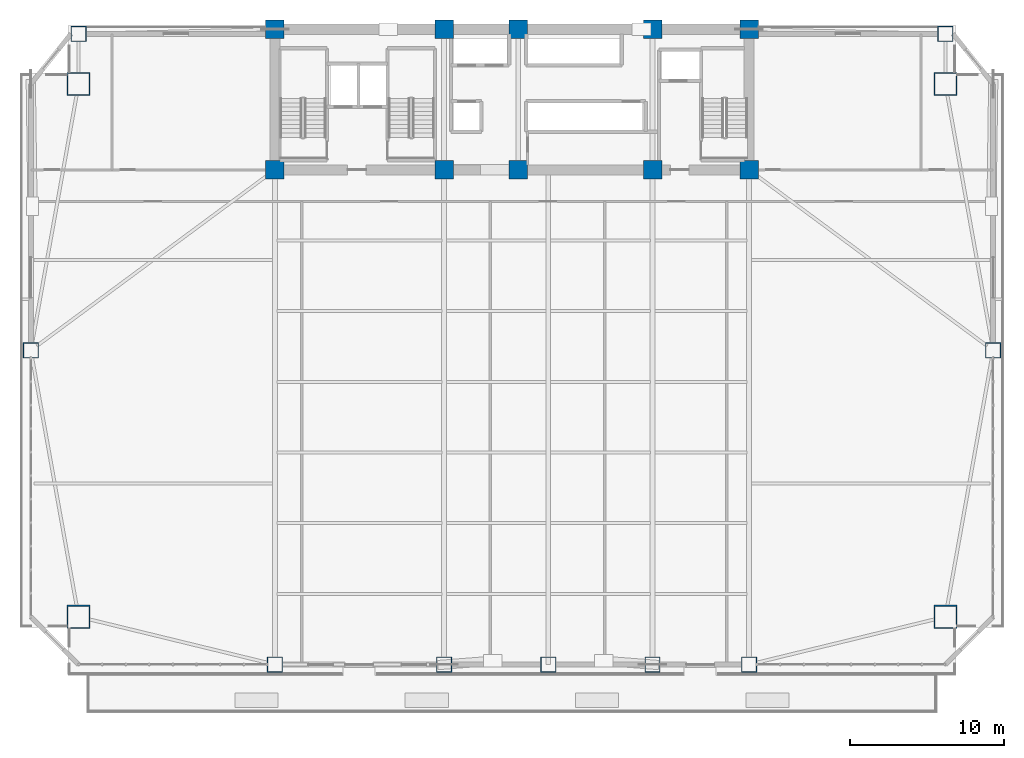
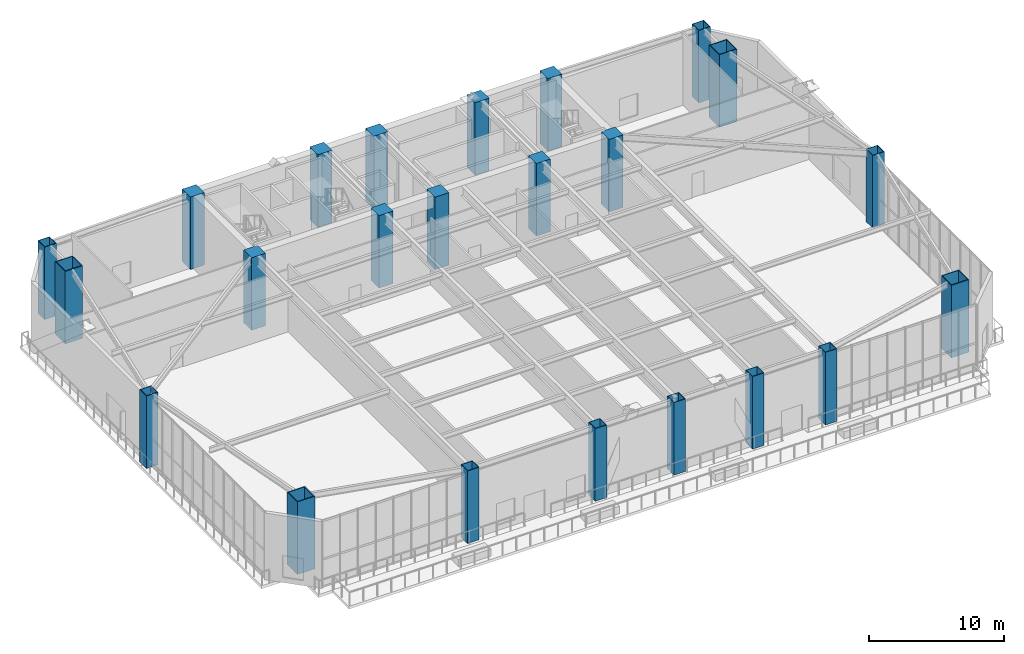
# One storey, part 1 of 22: 23 columns.
"""IFC4 building model written with IfcOpenShell, lengths in metres."""

from ifc_helpers import new_model, si_unit, direction, frame, origin, origin_2d, place, context, subcontext, project, spatial, rectangle, hollow_rectangle, extrude, source, transform, mapped, material, material_profile, profile_set, type_object, element, save


model = new_model("IFC4")

# Units and contexts
model_context = context("Model", 3, precision=1e-05, world=origin(), true_north=direction((0.0, 1.0)))
body_context = subcontext(model_context, "Body", "Model", "MODEL_VIEW")
ifc_project = project(units=[si_unit("LENGTHUNIT", "METRE"), si_unit("AREAUNIT", "SQUARE_METRE"), si_unit("VOLUMEUNIT", "CUBIC_METRE"), si_unit("PLANEANGLEUNIT", "RADIAN"), si_unit("MASSUNIT", "GRAM", prefix="KILO")], contexts=[model_context])

# Site, building, storey
site_placement = place(None, origin())
site = spatial("IfcSite", under=ifc_project, at=site_placement, CompositionType="ELEMENT")
building_placement = place(site_placement, origin())
building = spatial("IfcBuilding", under=site, at=building_placement, Name="Giltprow Tower", CompositionType="ELEMENT")
storey_placement = place(building_placement, frame((0.0, 0.0, 72.800048828125)))
storey = spatial("IfcBuildingStorey", under=building, at=storey_placement, Name="L18", CompositionType="ELEMENT", Elevation=72.800048828125)

# Columns
ifc_material_1 = material(Name="Concrete C60", Category="concrete")
ifc_material_profile_1 = material_profile(ifc_material_1, rectangle(XDim=1.199951171875, YDim=1.199951171875, at=origin_2d()), Name="RC 1200x1200")
ifc_profile_set_1 = profile_set([ifc_material_profile_1], Name="Concrete C60")
column_type_1 = type_object("IfcColumnType", Name="PIL-RC-1200-C60", PredefinedType="PILASTER", material=ifc_profile_set_1)
shared_shape_1 = source(origin(), body_context, "Body", "SweptSolid", [
    extrude(rectangle(XDim=1.199951171875, YDim=1.199951171875, at=origin_2d()), origin(), (0.0, 0.0, 1.0), 6.579833984375),
])
for number, where, z_axis, x_axis, name in (
    (1, (19.85009765625, 37.449951171875, 0.0), (0.0, 0.0, 1.0), (1.0, 0.0, 0.0), "L18 Core Boundary Pilaster 1-1"),
    (2, (19.85009765625, 46.550048828125, 0.0), (0.0, 0.0, 1.0), (1.0, 0.0, 0.0), "L18 Core Boundary Pilaster 1-2"),
    (3, (30.800048828125, 37.449951171875, 0.0), (0.0, 0.0, 1.0), (1.0, 0.0, 0.0), "L18 Core Boundary Pilaster 2-1"),
    (4, (30.800048828125, 46.550048828125, 0.0), (0.0, 0.0, 1.0), (1.0, 0.0, 0.0), "L18 Core Boundary Pilaster 2-2"),
    (5, (35.60009765625, 37.449951171875, 0.0), (0.0, 0.0, 1.0), (1.0, 0.0, 0.0), "L18 Core Boundary Pilaster 3-1"),
    (6, (35.60009765625, 46.550048828125, 0.0), (0.0, 0.0, 1.0), (1.0, 0.0, 0.0), "L18 Core Boundary Pilaster 3-2"),
    (7, (44.300048828125, 37.449951171875, 0.0), (0.0, 0.0, 1.0), (1.0, 0.0, 0.0), "L18 Core Boundary Pilaster 4-1"),
    (8, (44.300048828125, 46.550048828125, 0.0), (0.0, 0.0, 1.0), (1.0, 0.0, 0.0), "L18 Core Boundary Pilaster 4-2"),
    (9, (50.550048828125, 37.449951171875, 0.0), (0.0, 0.0, 1.0), (1.0, 0.0, 0.0), "L18 Core Boundary Pilaster 5-1"),
    (10, (50.550048828125, 46.550048828125, 0.0), (0.0, 0.0, 1.0), (1.0, 0.0, 0.0), "L18 Core Boundary Pilaster 5-2"),
):
    element("IfcColumn", number, at=place(storey_placement, frame(where, z_axis=z_axis, x_axis=x_axis)), inside=storey, type_object=column_type_1, Name=name, PredefinedType="PILASTER", context=body_context, shape_type="MappedRepresentation", body=[
        mapped(shared_shape_1, transform((0.0, 0.0, 0.0), x_axis=(1.0, 0.0, 0.0), y_axis=(0.0, 1.0, 0.0), z_axis=(0.0, 0.0, 1.0), scale=1.0)),
    ])
ifc_material_2 = material(Name="Structural steel Q420GJC", Category="steel")
ifc_material_profile_2 = material_profile(ifc_material_2, hollow_rectangle(XDim=1.5, YDim=1.5, WallThickness=0.070068359375, at=origin_2d()), Name="BOX 1500x1500x70")
ifc_profile_set_2 = profile_set([ifc_material_profile_2], Name="Structural steel Q420GJC")
column_type_2 = type_object("IfcColumnType", Name="COL-BOX-1500x1500x70", PredefinedType="COLUMN", material=ifc_profile_set_2)
shared_shape_2 = source(origin(), body_context, "Body", "SweptSolid", [
    extrude(hollow_rectangle(XDim=1.5, YDim=1.5, WallThickness=0.070068359375, at=origin_2d()), origin(), (0.0, 0.0, 1.0), 6.579833984375),
])
for number, where, z_axis, x_axis, name in (
    (11, (7.135986328125, 8.5048828125, 0.0), (0.0, 0.0, 1.0), (1.0, 0.0, 0.0), "L18 Mega-Column MC_SW"),
    (12, (63.264892578125, 8.5048828125, 0.0), (0.0, 0.0, 1.0), (1.0, 0.0, 0.0), "L18 Mega-Column MC_SE"),
    (13, (7.135986328125, 43.00390625, 0.0), (0.0, 0.0, 1.0), (1.0, 0.0, 0.0), "L18 Mega-Column MC_NW"),
    (14, (63.264892578125, 43.00390625, 0.0), (0.0, 0.0, 1.0), (1.0, 0.0, 0.0), "L18 Mega-Column MC_NE"),
):
    element("IfcColumn", number, at=place(storey_placement, frame(where, z_axis=z_axis, x_axis=x_axis)), inside=storey, type_object=column_type_2, Name=name, PredefinedType="COLUMN", context=body_context, shape_type="MappedRepresentation", body=[
        mapped(shared_shape_2, transform((0.0, 0.0, 0.0), x_axis=(1.0, 0.0, 0.0), y_axis=(0.0, 1.0, 0.0), z_axis=(0.0, 0.0, 1.0), scale=1.0)),
    ])
ifc_material_profile_3 = material_profile(ifc_material_2, hollow_rectangle(XDim=1.0, YDim=1.0, WallThickness=0.044921875, at=origin_2d()), Name="BOX 1000x1000x45")
ifc_profile_set_3 = profile_set([ifc_material_profile_3], Name="Structural steel Q420GJC")
column_type_3 = type_object("IfcColumnType", Name="COL-BOX-1000x1000x45", PredefinedType="COLUMN", material=ifc_profile_set_3)
shared_shape_3 = source(origin(), body_context, "Body", "SweptSolid", [
    extrude(hollow_rectangle(XDim=1.0, YDim=1.0, WallThickness=0.044921875, at=origin_2d()), origin(), (0.0, 0.0, 1.0), 6.579833984375),
])
for number, where, z_axis, x_axis, name in (
    (15, (19.85009765625, 5.408935546875, 0.0), (0.0, 0.0, 1.0), (1.0, 0.0, 0.0), "L18 Perimeter Column S1"),
    (16, (30.800048828125, 5.408935546875, 0.0), (0.0, 0.0, 1.0), (1.0, 0.0, 0.0), "L18 Perimeter Column S2"),
    (17, (37.550048828125, 5.408935546875, 0.0), (0.0, 0.0, 1.0), (1.0, 0.0, 0.0), "L18 Perimeter Column S_MID"),
    (18, (44.300048828125, 5.408935546875, 0.0), (0.0, 0.0, 1.0), (1.0, 0.0, 0.0), "L18 Perimeter Column S3"),
    (19, (50.550048828125, 5.408935546875, 0.0), (0.0, 0.0, 1.0), (1.0, 0.0, 0.0), "L18 Perimeter Column S4"),
    (20, (4.0400390625, 25.7548828125, 0.0), (0.0, 0.0, 1.0), (1.0, 0.0, 0.0), "L18 Perimeter Column W_MID"),
    (21, (66.361083984375, 25.7548828125, 0.0), (0.0, 0.0, 1.0), (1.0, 0.0, 0.0), "L18 Perimeter Column E_MID"),
    (22, (7.135986328125, 46.25, 0.0), (0.0, 0.0, 1.0), (1.0, 0.0, 0.0), "L18 Perimeter Column N_W"),
    (23, (63.264892578125, 46.25, 0.0), (0.0, 0.0, 1.0), (1.0, 0.0, 0.0), "L18 Perimeter Column N_E"),
):
    element("IfcColumn", number, at=place(storey_placement, frame(where, z_axis=z_axis, x_axis=x_axis)), inside=storey, type_object=column_type_3, Name=name, PredefinedType="COLUMN", context=body_context, shape_type="MappedRepresentation", body=[
        mapped(shared_shape_3, transform((0.0, 0.0, 0.0), x_axis=(1.0, 0.0, 0.0), y_axis=(0.0, 1.0, 0.0), z_axis=(0.0, 0.0, 1.0), scale=1.0)),
    ])

save(model, "model.ifc")
